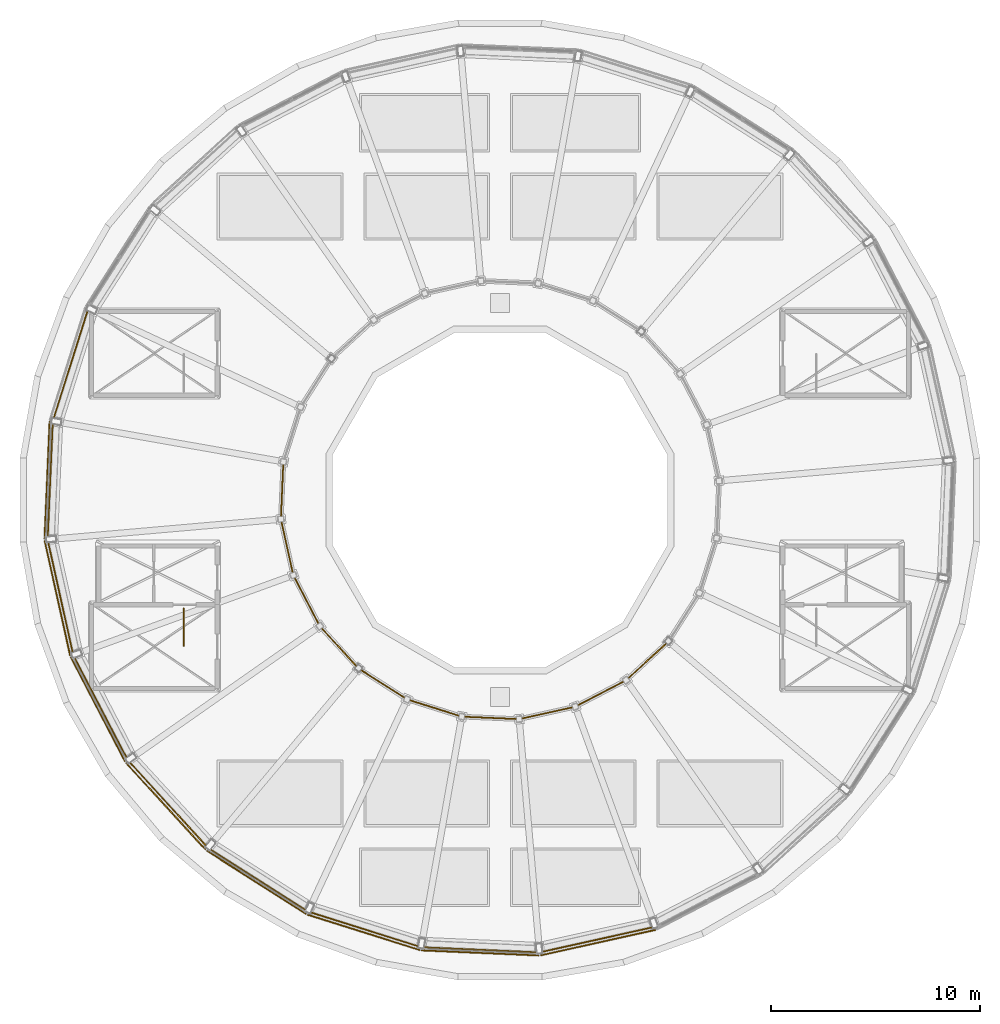
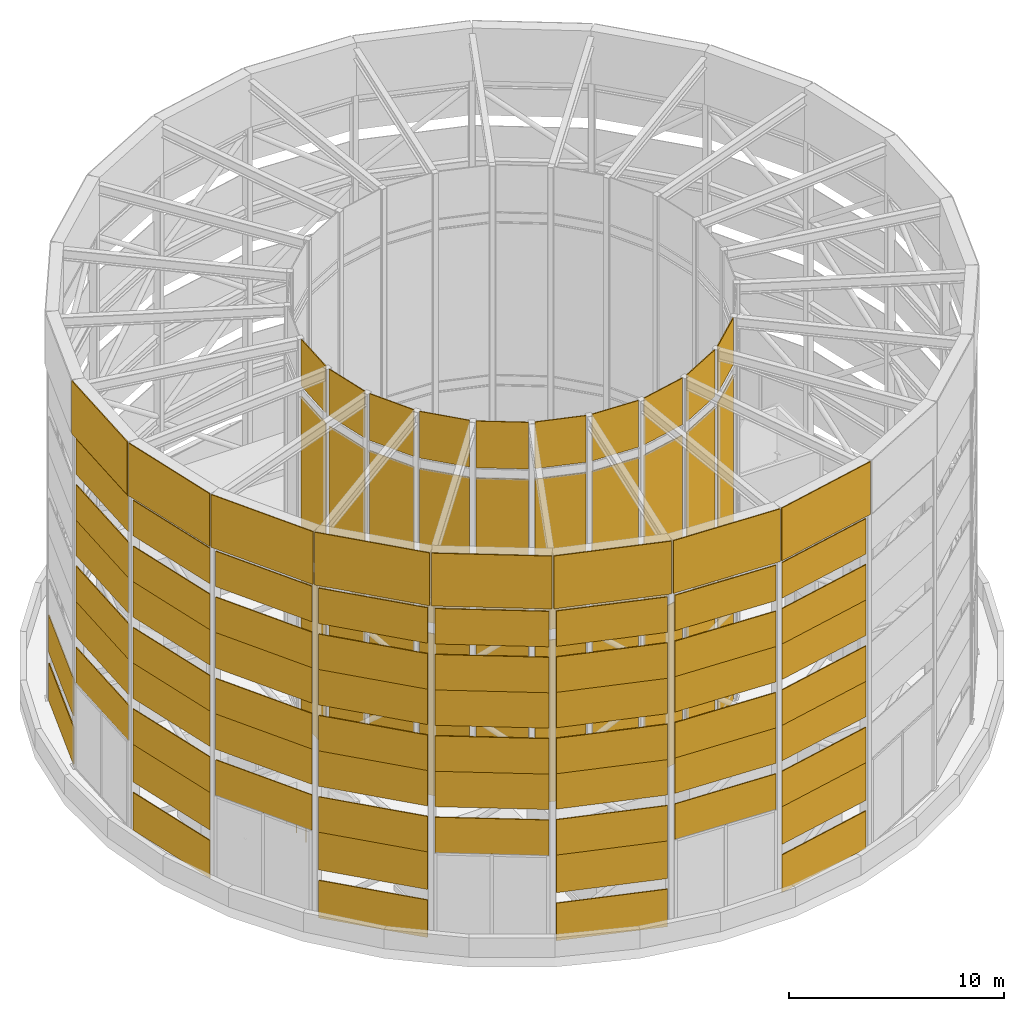
# One storey, part 17 of 20: 88 shading devices, 8 coverings, 1 railing.
"""IFC4 building model written with IfcOpenShell, lengths in metres."""

from ifc_helpers import new_model, si_unit, direction, frame, origin, origin_2d, place, context, subcontext, project, spatial, rectangle, circle, extrude, material, layer, layer_set, type_object, element, save


model = new_model("IFC4")

# Units and contexts
model_context = context("Model", 3, precision=1e-05, world=origin(), true_north=direction((0.0, 1.0)))
body_context = subcontext(model_context, "Body", "Model", "MODEL_VIEW")
ifc_project = project(units=[si_unit("LENGTHUNIT", "METRE"), si_unit("AREAUNIT", "SQUARE_METRE"), si_unit("VOLUMEUNIT", "CUBIC_METRE"), si_unit("PLANEANGLEUNIT", "RADIAN"), si_unit("MASSUNIT", "GRAM", prefix="KILO")], contexts=[model_context])

# Site, building, storey
site_placement = place(None, origin())
site = spatial("IfcSite", under=ifc_project, at=site_placement, CompositionType="ELEMENT")
building_placement = place(site_placement, origin())
building = spatial("IfcBuilding", under=site, at=building_placement, Name="Saqina Gate Tower", CompositionType="ELEMENT")
storey_placement = place(building_placement, frame((0.0, 0.0, 284.199951171875)))
storey = spatial("IfcBuildingStorey", under=building, at=storey_placement, Name="RF", CompositionType="ELEMENT", Elevation=284.199951171875)

# Coverings
ifc_material_1 = material(Name="Glazed ceramic tile", Category="ceramic")
ifc_layer_1 = layer(ifc_material_1, 0.0400390625)
ifc_layer_set_1 = layer_set([ifc_layer_1], Name="CLAD-TILE")
covering_type = type_object("IfcCoveringType", Name="CLAD-TILE", PredefinedType="CLADDING", material=ifc_layer_set_1)
for number, where, z_axis, x_axis, name in (
    (1, (-21.62060546875, 0.944091796875, 19.0), (0.0, 0.0, 1.0), (-0.043619387365, -0.999048221582, 0.0), "Crown cap cladding 12"),
    (2, (-21.128173828125, -4.68408203125, 19.0), (0.0, 0.0, 1.0), (0.216439613938, -0.97629600712, 0.0), "Crown cap cladding 13"),
    (3, (-19.19580078125, -9.99267578125, 19.0), (0.0, 0.0, 1.0), (0.461748613235, -0.887010833178, 0.0), "Crown cap cladding 14"),
    (4, (-15.95556640625, -14.62060546875, 19.0), (0.0, 0.0, 1.0), (0.675590207616, -0.73727733681, 0.0), "Crown cap cladding 15"),
    (5, (-11.627685546875, -18.251953125, 19.0), (0.0, 0.0, 1.0), (0.843391445813, -0.537299608347, 0.0), "Crown cap cladding 16"),
    (6, (-6.507568359375, -20.639404296875, 19.0), (0.0, 0.0, 1.0), (0.953716950748, -0.300705799504, 0.0), "Crown cap cladding 17"),
    (7, (-0.944091796875, -21.62060546875, 19.0), (0.0, 0.0, 1.0), (0.999048221582, -0.043619387365, 0.0), "Crown cap cladding 18"),
    (8, (4.68408203125, -21.128173828125, 19.0), (0.0, 0.0, 1.0), (0.97629600712, 0.216439613938, 0.0), "Crown cap cladding 19"),
):
    element("IfcCovering", number, at=place(storey_placement, frame(where, z_axis=z_axis, x_axis=x_axis)), inside=storey, type_object=covering_type, Name=name, PredefinedType="CLADDING", context=body_context, shape_type="SweptSolid", body=[
        extrude(rectangle(XDim=5.612548828125, YDim=0.050048828125, at=origin_2d()), origin(), (0.0, 0.0, 1.0), 3.0),
    ])

# Shading devices
ifc_material_2 = material(Name="Glazed ceramic tile", Category="ceramic")
ifc_layer_2 = layer(ifc_material_2, 0.050048828125)
ifc_layer_set_2 = layer_set([ifc_layer_2], Name="SCREEN-TILE")
shading_device_type_1 = type_object("IfcShadingDeviceType", Name="SCREEN-TILE", PredefinedType="JALOUSIE", material=ifc_layer_set_2)
shading_device_1_placement = place(storey_placement, frame((-20.496337890625, 6.46240234375, 0.0), z_axis=(0.0, 0.0, 1.0), x_axis=(-0.300705799504, -0.953716950748, 0.0)))
element("IfcShadingDevice", 9, at=shading_device_1_placement, inside=storey, type_object=shading_device_type_1, Name="Crown screen O1a.11", PredefinedType="JALOUSIE", context=body_context, shape_type="SweptSolid", body=[
    extrude(rectangle(XDim=5.310546875, YDim=0.050048828125, at=origin_2d()), origin(), (0.0, 0.0, 1.0), 2.137451171875),
])
for number, where, z_axis, x_axis, name in (
    (10, (-21.470703125, 0.9375, 4.875), (0.0, 0.0, 1.0), (-0.043619387365, -0.999048221582, 0.0), "Crown screen O2a.12"),
    (11, (-21.470703125, 0.9375, 12.11279296875), (0.0, 0.0, 1.0), (-0.043619387365, -0.999048221582, 0.0), "Crown screen O3b.12"),
    (12, (-21.470703125, 0.9375, 14.125), (0.0, 0.0, 1.0), (-0.043619387365, -0.999048221582, 0.0), "Crown screen O4a.12"),
):
    element("IfcShadingDevice", number, at=place(storey_placement, frame(where, z_axis=z_axis, x_axis=x_axis)), inside=storey, type_object=shading_device_type_1, Name=name, PredefinedType="JALOUSIE", context=body_context, shape_type="SweptSolid", body=[
        extrude(rectangle(XDim=5.310546875, YDim=0.050048828125, at=origin_2d()), origin(), (0.0, 0.0, 1.0), 2.012451171875),
    ])
shading_device_2_placement = place(storey_placement, frame((-20.981689453125, -4.651611328125, 0.0), z_axis=(0.0, 0.0, 1.0), x_axis=(0.216439613938, -0.97629600712, 0.0)))
element("IfcShadingDevice", 13, at=shading_device_2_placement, inside=storey, type_object=shading_device_type_1, Name="Crown screen O1a.13", PredefinedType="JALOUSIE", context=body_context, shape_type="SweptSolid", body=[
    extrude(rectangle(XDim=5.310546875, YDim=0.050048828125, at=origin_2d()), origin(), (0.0, 0.0, 1.0), 2.137451171875),
])
for number, where, z_axis, x_axis, name in (
    (14, (-20.981689453125, -4.651611328125, 7.48779296875), (0.0, 0.0, 1.0), (0.216439613938, -0.97629600712, 0.0), "Crown screen O2b.13"),
    (15, (-20.981689453125, -4.651611328125, 9.5), (0.0, 0.0, 1.0), (0.216439613938, -0.97629600712, 0.0), "Crown screen O3a.13"),
    (16, (-20.981689453125, -4.651611328125, 16.73779296875), (0.0, 0.0, 1.0), (0.216439613938, -0.97629600712, 0.0), "Crown screen O4b.13"),
    (17, (-19.062744140625, -9.923583984375, 4.875), (0.0, 0.0, 1.0), (0.461748613235, -0.887010833178, 0.0), "Crown screen O2a.14"),
    (18, (-19.062744140625, -9.923583984375, 12.11279296875), (0.0, 0.0, 1.0), (0.461748613235, -0.887010833178, 0.0), "Crown screen O3b.14"),
    (19, (-19.062744140625, -9.923583984375, 14.125), (0.0, 0.0, 1.0), (0.461748613235, -0.887010833178, 0.0), "Crown screen O4a.14"),
):
    element("IfcShadingDevice", number, at=place(storey_placement, frame(where, z_axis=z_axis, x_axis=x_axis)), inside=storey, type_object=shading_device_type_1, Name=name, PredefinedType="JALOUSIE", context=body_context, shape_type="SweptSolid", body=[
        extrude(rectangle(XDim=5.310546875, YDim=0.050048828125, at=origin_2d()), origin(), (0.0, 0.0, 1.0), 2.012451171875),
    ])
shading_device_3_placement = place(storey_placement, frame((-15.844970703125, -14.519287109375, 0.0), z_axis=(0.0, 0.0, 1.0), x_axis=(0.675590207616, -0.73727733681, 0.0)))
element("IfcShadingDevice", 20, at=shading_device_3_placement, inside=storey, type_object=shading_device_type_1, Name="Crown screen O1a.15", PredefinedType="JALOUSIE", context=body_context, shape_type="SweptSolid", body=[
    extrude(rectangle(XDim=5.310546875, YDim=0.050048828125, at=origin_2d()), origin(), (0.0, 0.0, 1.0), 2.137451171875),
])
for number, where, z_axis, x_axis, name in (
    (21, (-15.844970703125, -14.519287109375, 7.48779296875), (0.0, 0.0, 1.0), (0.675590207616, -0.73727733681, 0.0), "Crown screen O2b.15"),
    (22, (-15.844970703125, -14.519287109375, 9.5), (0.0, 0.0, 1.0), (0.675590207616, -0.73727733681, 0.0), "Crown screen O3a.15"),
    (23, (-15.844970703125, -14.519287109375, 16.73779296875), (0.0, 0.0, 1.0), (0.675590207616, -0.73727733681, 0.0), "Crown screen O4b.15"),
    (24, (-11.547119140625, -18.12548828125, 4.875), (0.0, 0.0, 1.0), (0.843391445813, -0.537299608347, 0.0), "Crown screen O2a.16"),
    (25, (-11.547119140625, -18.12548828125, 12.11279296875), (0.0, 0.0, 1.0), (0.843391445813, -0.537299608347, 0.0), "Crown screen O3b.16"),
    (26, (-11.547119140625, -18.12548828125, 14.125), (0.0, 0.0, 1.0), (0.843391445813, -0.537299608347, 0.0), "Crown screen O4a.16"),
):
    element("IfcShadingDevice", number, at=place(storey_placement, frame(where, z_axis=z_axis, x_axis=x_axis)), inside=storey, type_object=shading_device_type_1, Name=name, PredefinedType="JALOUSIE", context=body_context, shape_type="SweptSolid", body=[
        extrude(rectangle(XDim=5.310546875, YDim=0.050048828125, at=origin_2d()), origin(), (0.0, 0.0, 1.0), 2.012451171875),
    ])
shading_device_4_placement = place(storey_placement, frame((-6.46240234375, -20.496337890625, 0.0), z_axis=(0.0, 0.0, 1.0), x_axis=(0.953716950748, -0.300705799504, 0.0)))
element("IfcShadingDevice", 27, at=shading_device_4_placement, inside=storey, type_object=shading_device_type_1, Name="Crown screen O1a.17", PredefinedType="JALOUSIE", context=body_context, shape_type="SweptSolid", body=[
    extrude(rectangle(XDim=5.310546875, YDim=0.050048828125, at=origin_2d()), origin(), (0.0, 0.0, 1.0), 2.137451171875),
])
for number, where, z_axis, x_axis, name in (
    (28, (-6.46240234375, -20.496337890625, 7.48779296875), (0.0, 0.0, 1.0), (0.953716950748, -0.300705799504, 0.0), "Crown screen O2b.17"),
    (29, (-6.46240234375, -20.496337890625, 9.5), (0.0, 0.0, 1.0), (0.953716950748, -0.300705799504, 0.0), "Crown screen O3a.17"),
    (30, (-6.46240234375, -20.496337890625, 16.73779296875), (0.0, 0.0, 1.0), (0.953716950748, -0.300705799504, 0.0), "Crown screen O4b.17"),
    (31, (-0.9375, -21.470703125, 4.875), (0.0, 0.0, 1.0), (0.999048221582, -0.043619387365, 0.0), "Crown screen O2a.18"),
    (32, (-0.9375, -21.470703125, 12.11279296875), (0.0, 0.0, 1.0), (0.999048221582, -0.043619387365, 0.0), "Crown screen O3b.18"),
    (33, (-0.9375, -21.470703125, 14.125), (0.0, 0.0, 1.0), (0.999048221582, -0.043619387365, 0.0), "Crown screen O4a.18"),
):
    element("IfcShadingDevice", number, at=place(storey_placement, frame(where, z_axis=z_axis, x_axis=x_axis)), inside=storey, type_object=shading_device_type_1, Name=name, PredefinedType="JALOUSIE", context=body_context, shape_type="SweptSolid", body=[
        extrude(rectangle(XDim=5.310546875, YDim=0.050048828125, at=origin_2d()), origin(), (0.0, 0.0, 1.0), 2.012451171875),
    ])
shading_device_5_placement = place(storey_placement, frame((4.651611328125, -20.981689453125, 0.0), z_axis=(0.0, 0.0, 1.0), x_axis=(0.97629600712, 0.216439613938, 0.0)))
element("IfcShadingDevice", 34, at=shading_device_5_placement, inside=storey, type_object=shading_device_type_1, Name="Crown screen O1a.19", PredefinedType="JALOUSIE", context=body_context, shape_type="SweptSolid", body=[
    extrude(rectangle(XDim=5.310546875, YDim=0.050048828125, at=origin_2d()), origin(), (0.0, 0.0, 1.0), 2.137451171875),
])
for number, where, z_axis, x_axis, name in (
    (35, (4.651611328125, -20.981689453125, 7.48779296875), (0.0, 0.0, 1.0), (0.97629600712, 0.216439613938, 0.0), "Crown screen O2b.19"),
    (36, (4.651611328125, -20.981689453125, 9.5), (0.0, 0.0, 1.0), (0.97629600712, 0.216439613938, 0.0), "Crown screen O3a.19"),
    (37, (4.651611328125, -20.981689453125, 16.73779296875), (0.0, 0.0, 1.0), (0.97629600712, 0.216439613938, 0.0), "Crown screen O4b.19"),
):
    element("IfcShadingDevice", number, at=place(storey_placement, frame(where, z_axis=z_axis, x_axis=x_axis)), inside=storey, type_object=shading_device_type_1, Name=name, PredefinedType="JALOUSIE", context=body_context, shape_type="SweptSolid", body=[
        extrude(rectangle(XDim=5.310546875, YDim=0.050048828125, at=origin_2d()), origin(), (0.0, 0.0, 1.0), 2.012451171875),
    ])
shading_device_6_placement = place(storey_placement, frame((-10.400390625, 0.4541015625, 0.0), z_axis=(0.0, 0.0, 1.0), x_axis=(-0.043619387365, -0.999048221582, 0.0)))
element("IfcShadingDevice", 38, at=shading_device_6_placement, inside=storey, type_object=shading_device_type_1, Name="Crown screen I1.12", PredefinedType="JALOUSIE", context=body_context, shape_type="SweptSolid", body=[
    extrude(rectangle(XDim=2.43896484375, YDim=0.050048828125, at=origin_2d()), origin(), (0.0, 0.0, 1.0), 9.199951171875),
])
shading_device_7_placement = place(storey_placement, frame((-10.400390625, 0.4541015625, 9.800048828125), z_axis=(0.0, 0.0, 1.0), x_axis=(-0.043619387365, -0.999048221582, 0.0)))
element("IfcShadingDevice", 39, at=shading_device_7_placement, inside=storey, type_object=shading_device_type_1, Name="Crown screen I2.12", PredefinedType="JALOUSIE", context=body_context, shape_type="SweptSolid", body=[
    extrude(rectangle(XDim=2.43896484375, YDim=0.050048828125, at=origin_2d()), origin(), (0.0, 0.0, 1.0), 8.64990234375),
])
shading_device_8_placement = place(storey_placement, frame((-10.400390625, 0.4541015625, 19.050048828125), z_axis=(0.0, 0.0, 1.0), x_axis=(-0.043619387365, -0.999048221582, 0.0)))
element("IfcShadingDevice", 40, at=shading_device_8_placement, inside=storey, type_object=shading_device_type_1, Name="Crown screen I9.12", PredefinedType="JALOUSIE", context=body_context, shape_type="SweptSolid", body=[
    extrude(rectangle(XDim=2.43896484375, YDim=0.050048828125, at=origin_2d()), origin(), (0.0, 0.0, 1.0), 2.64990234375),
])
shading_device_9_placement = place(storey_placement, frame((-10.163330078125, -2.253173828125, 0.0), z_axis=(0.0, 0.0, 1.0), x_axis=(0.216439613938, -0.97629600712, 0.0)))
element("IfcShadingDevice", 41, at=shading_device_9_placement, inside=storey, type_object=shading_device_type_1, Name="Crown screen I1.13", PredefinedType="JALOUSIE", context=body_context, shape_type="SweptSolid", body=[
    extrude(rectangle(XDim=2.439208984375, YDim=0.050048828125, at=origin_2d()), origin(), (0.0, 0.0, 1.0), 9.199951171875),
])
shading_device_10_placement = place(storey_placement, frame((-10.163330078125, -2.253173828125, 9.800048828125), z_axis=(0.0, 0.0, 1.0), x_axis=(0.216439613938, -0.97629600712, 0.0)))
element("IfcShadingDevice", 42, at=shading_device_10_placement, inside=storey, type_object=shading_device_type_1, Name="Crown screen I2.13", PredefinedType="JALOUSIE", context=body_context, shape_type="SweptSolid", body=[
    extrude(rectangle(XDim=2.439208984375, YDim=0.050048828125, at=origin_2d()), origin(), (0.0, 0.0, 1.0), 8.64990234375),
])
shading_device_11_placement = place(storey_placement, frame((-10.163330078125, -2.253173828125, 19.050048828125), z_axis=(0.0, 0.0, 1.0), x_axis=(0.216439613938, -0.97629600712, 0.0)))
element("IfcShadingDevice", 43, at=shading_device_11_placement, inside=storey, type_object=shading_device_type_1, Name="Crown screen I9.13", PredefinedType="JALOUSIE", context=body_context, shape_type="SweptSolid", body=[
    extrude(rectangle(XDim=2.439208984375, YDim=0.050048828125, at=origin_2d()), origin(), (0.0, 0.0, 1.0), 2.64990234375),
])
shading_device_12_placement = place(storey_placement, frame((-9.23388671875, -4.806884765625, 0.0), z_axis=(0.0, 0.0, 1.0), x_axis=(0.461748613235, -0.887010833178, 0.0)))
element("IfcShadingDevice", 44, at=shading_device_12_placement, inside=storey, type_object=shading_device_type_1, Name="Crown screen I1.14", PredefinedType="JALOUSIE", context=body_context, shape_type="SweptSolid", body=[
    extrude(rectangle(XDim=2.439208984375, YDim=0.050048828125, at=origin_2d()), origin(), (0.0, 0.0, 1.0), 9.199951171875),
])
shading_device_13_placement = place(storey_placement, frame((-9.23388671875, -4.806884765625, 9.800048828125), z_axis=(0.0, 0.0, 1.0), x_axis=(0.461748613235, -0.887010833178, 0.0)))
element("IfcShadingDevice", 45, at=shading_device_13_placement, inside=storey, type_object=shading_device_type_1, Name="Crown screen I2.14", PredefinedType="JALOUSIE", context=body_context, shape_type="SweptSolid", body=[
    extrude(rectangle(XDim=2.439208984375, YDim=0.050048828125, at=origin_2d()), origin(), (0.0, 0.0, 1.0), 8.64990234375),
])
shading_device_14_placement = place(storey_placement, frame((-9.23388671875, -4.806884765625, 19.050048828125), z_axis=(0.0, 0.0, 1.0), x_axis=(0.461748613235, -0.887010833178, 0.0)))
element("IfcShadingDevice", 46, at=shading_device_14_placement, inside=storey, type_object=shading_device_type_1, Name="Crown screen I9.14", PredefinedType="JALOUSIE", context=body_context, shape_type="SweptSolid", body=[
    extrude(rectangle(XDim=2.439208984375, YDim=0.050048828125, at=origin_2d()), origin(), (0.0, 0.0, 1.0), 2.64990234375),
])
shading_device_15_placement = place(storey_placement, frame((-7.67529296875, -7.032958984375, 0.0), z_axis=(0.0, 0.0, 1.0), x_axis=(0.675590207616, -0.73727733681, 0.0)))
element("IfcShadingDevice", 47, at=shading_device_15_placement, inside=storey, type_object=shading_device_type_1, Name="Crown screen I1.15", PredefinedType="JALOUSIE", context=body_context, shape_type="SweptSolid", body=[
    extrude(rectangle(XDim=2.43896484375, YDim=0.050048828125, at=origin_2d()), origin(), (0.0, 0.0, 1.0), 9.199951171875),
])
shading_device_16_placement = place(storey_placement, frame((-7.67529296875, -7.032958984375, 9.800048828125), z_axis=(0.0, 0.0, 1.0), x_axis=(0.675590207616, -0.73727733681, 0.0)))
element("IfcShadingDevice", 48, at=shading_device_16_placement, inside=storey, type_object=shading_device_type_1, Name="Crown screen I2.15", PredefinedType="JALOUSIE", context=body_context, shape_type="SweptSolid", body=[
    extrude(rectangle(XDim=2.43896484375, YDim=0.050048828125, at=origin_2d()), origin(), (0.0, 0.0, 1.0), 8.64990234375),
])
shading_device_17_placement = place(storey_placement, frame((-7.67529296875, -7.032958984375, 19.050048828125), z_axis=(0.0, 0.0, 1.0), x_axis=(0.675590207616, -0.73727733681, 0.0)))
element("IfcShadingDevice", 49, at=shading_device_17_placement, inside=storey, type_object=shading_device_type_1, Name="Crown screen I9.15", PredefinedType="JALOUSIE", context=body_context, shape_type="SweptSolid", body=[
    extrude(rectangle(XDim=2.43896484375, YDim=0.050048828125, at=origin_2d()), origin(), (0.0, 0.0, 1.0), 2.64990234375),
])
shading_device_18_placement = place(storey_placement, frame((-5.593505859375, -8.77978515625, 0.0), z_axis=(0.0, 0.0, 1.0), x_axis=(0.843391445813, -0.537299608347, 0.0)))
element("IfcShadingDevice", 50, at=shading_device_18_placement, inside=storey, type_object=shading_device_type_1, Name="Crown screen I1.16", PredefinedType="JALOUSIE", context=body_context, shape_type="SweptSolid", body=[
    extrude(rectangle(XDim=2.43896484375, YDim=0.050048828125, at=origin_2d()), origin(), (0.0, 0.0, 1.0), 9.199951171875),
])
shading_device_19_placement = place(storey_placement, frame((-5.593505859375, -8.77978515625, 9.800048828125), z_axis=(0.0, 0.0, 1.0), x_axis=(0.843391445813, -0.537299608347, 0.0)))
element("IfcShadingDevice", 51, at=shading_device_19_placement, inside=storey, type_object=shading_device_type_1, Name="Crown screen I2.16", PredefinedType="JALOUSIE", context=body_context, shape_type="SweptSolid", body=[
    extrude(rectangle(XDim=2.43896484375, YDim=0.050048828125, at=origin_2d()), origin(), (0.0, 0.0, 1.0), 8.64990234375),
])
shading_device_20_placement = place(storey_placement, frame((-5.593505859375, -8.77978515625, 19.050048828125), z_axis=(0.0, 0.0, 1.0), x_axis=(0.843391445813, -0.537299608347, 0.0)))
element("IfcShadingDevice", 52, at=shading_device_20_placement, inside=storey, type_object=shading_device_type_1, Name="Crown screen I9.16", PredefinedType="JALOUSIE", context=body_context, shape_type="SweptSolid", body=[
    extrude(rectangle(XDim=2.43896484375, YDim=0.050048828125, at=origin_2d()), origin(), (0.0, 0.0, 1.0), 2.64990234375),
])
shading_device_21_placement = place(storey_placement, frame((-3.13037109375, -9.928466796875, 0.0), z_axis=(0.0, 0.0, 1.0), x_axis=(0.953716950748, -0.300705799504, 0.0)))
element("IfcShadingDevice", 53, at=shading_device_21_placement, inside=storey, type_object=shading_device_type_1, Name="Crown screen I1.17", PredefinedType="JALOUSIE", context=body_context, shape_type="SweptSolid", body=[
    extrude(rectangle(XDim=2.43896484375, YDim=0.050048828125, at=origin_2d()), origin(), (0.0, 0.0, 1.0), 9.199951171875),
])
shading_device_22_placement = place(storey_placement, frame((-3.13037109375, -9.928466796875, 9.800048828125), z_axis=(0.0, 0.0, 1.0), x_axis=(0.953716950748, -0.300705799504, 0.0)))
element("IfcShadingDevice", 54, at=shading_device_22_placement, inside=storey, type_object=shading_device_type_1, Name="Crown screen I2.17", PredefinedType="JALOUSIE", context=body_context, shape_type="SweptSolid", body=[
    extrude(rectangle(XDim=2.43896484375, YDim=0.050048828125, at=origin_2d()), origin(), (0.0, 0.0, 1.0), 8.64990234375),
])
shading_device_23_placement = place(storey_placement, frame((-3.13037109375, -9.928466796875, 19.050048828125), z_axis=(0.0, 0.0, 1.0), x_axis=(0.953716950748, -0.300705799504, 0.0)))
element("IfcShadingDevice", 55, at=shading_device_23_placement, inside=storey, type_object=shading_device_type_1, Name="Crown screen I9.17", PredefinedType="JALOUSIE", context=body_context, shape_type="SweptSolid", body=[
    extrude(rectangle(XDim=2.43896484375, YDim=0.050048828125, at=origin_2d()), origin(), (0.0, 0.0, 1.0), 2.64990234375),
])
shading_device_24_placement = place(storey_placement, frame((-0.4541015625, -10.400390625, 0.0), z_axis=(0.0, 0.0, 1.0), x_axis=(0.999048221582, -0.043619387365, 0.0)))
element("IfcShadingDevice", 56, at=shading_device_24_placement, inside=storey, type_object=shading_device_type_1, Name="Crown screen I1.18", PredefinedType="JALOUSIE", context=body_context, shape_type="SweptSolid", body=[
    extrude(rectangle(XDim=2.43896484375, YDim=0.050048828125, at=origin_2d()), origin(), (0.0, 0.0, 1.0), 9.199951171875),
])
shading_device_25_placement = place(storey_placement, frame((-0.4541015625, -10.400390625, 9.800048828125), z_axis=(0.0, 0.0, 1.0), x_axis=(0.999048221582, -0.043619387365, 0.0)))
element("IfcShadingDevice", 57, at=shading_device_25_placement, inside=storey, type_object=shading_device_type_1, Name="Crown screen I2.18", PredefinedType="JALOUSIE", context=body_context, shape_type="SweptSolid", body=[
    extrude(rectangle(XDim=2.43896484375, YDim=0.050048828125, at=origin_2d()), origin(), (0.0, 0.0, 1.0), 8.64990234375),
])
shading_device_26_placement = place(storey_placement, frame((-0.4541015625, -10.400390625, 19.050048828125), z_axis=(0.0, 0.0, 1.0), x_axis=(0.999048221582, -0.043619387365, 0.0)))
element("IfcShadingDevice", 58, at=shading_device_26_placement, inside=storey, type_object=shading_device_type_1, Name="Crown screen I9.18", PredefinedType="JALOUSIE", context=body_context, shape_type="SweptSolid", body=[
    extrude(rectangle(XDim=2.43896484375, YDim=0.050048828125, at=origin_2d()), origin(), (0.0, 0.0, 1.0), 2.64990234375),
])
shading_device_27_placement = place(storey_placement, frame((2.253173828125, -10.163330078125, 0.0), z_axis=(0.0, 0.0, 1.0), x_axis=(0.97629600712, 0.216439613938, 0.0)))
element("IfcShadingDevice", 59, at=shading_device_27_placement, inside=storey, type_object=shading_device_type_1, Name="Crown screen I1.19", PredefinedType="JALOUSIE", context=body_context, shape_type="SweptSolid", body=[
    extrude(rectangle(XDim=2.439208984375, YDim=0.050048828125, at=origin_2d()), origin(), (0.0, 0.0, 1.0), 9.199951171875),
])
shading_device_28_placement = place(storey_placement, frame((2.253173828125, -10.163330078125, 9.800048828125), z_axis=(0.0, 0.0, 1.0), x_axis=(0.97629600712, 0.216439613938, 0.0)))
element("IfcShadingDevice", 60, at=shading_device_28_placement, inside=storey, type_object=shading_device_type_1, Name="Crown screen I2.19", PredefinedType="JALOUSIE", context=body_context, shape_type="SweptSolid", body=[
    extrude(rectangle(XDim=2.439208984375, YDim=0.050048828125, at=origin_2d()), origin(), (0.0, 0.0, 1.0), 8.64990234375),
])
shading_device_29_placement = place(storey_placement, frame((2.253173828125, -10.163330078125, 19.050048828125), z_axis=(0.0, 0.0, 1.0), x_axis=(0.97629600712, 0.216439613938, 0.0)))
element("IfcShadingDevice", 61, at=shading_device_29_placement, inside=storey, type_object=shading_device_type_1, Name="Crown screen I9.19", PredefinedType="JALOUSIE", context=body_context, shape_type="SweptSolid", body=[
    extrude(rectangle(XDim=2.439208984375, YDim=0.050048828125, at=origin_2d()), origin(), (0.0, 0.0, 1.0), 2.64990234375),
])
shading_device_30_placement = place(storey_placement, frame((4.806884765625, -9.23388671875, 0.0), z_axis=(0.0, 0.0, 1.0), x_axis=(0.887010833178, 0.461748613235, 0.0)))
element("IfcShadingDevice", 62, at=shading_device_30_placement, inside=storey, type_object=shading_device_type_1, Name="Crown screen I1.20", PredefinedType="JALOUSIE", context=body_context, shape_type="SweptSolid", body=[
    extrude(rectangle(XDim=2.439208984375, YDim=0.050048828125, at=origin_2d()), origin(), (0.0, 0.0, 1.0), 9.199951171875),
])
shading_device_31_placement = place(storey_placement, frame((4.806884765625, -9.23388671875, 9.800048828125), z_axis=(0.0, 0.0, 1.0), x_axis=(0.887010833178, 0.461748613235, 0.0)))
element("IfcShadingDevice", 63, at=shading_device_31_placement, inside=storey, type_object=shading_device_type_1, Name="Crown screen I2.20", PredefinedType="JALOUSIE", context=body_context, shape_type="SweptSolid", body=[
    extrude(rectangle(XDim=2.439208984375, YDim=0.050048828125, at=origin_2d()), origin(), (0.0, 0.0, 1.0), 8.64990234375),
])
shading_device_32_placement = place(storey_placement, frame((4.806884765625, -9.23388671875, 19.050048828125), z_axis=(0.0, 0.0, 1.0), x_axis=(0.887010833178, 0.461748613235, 0.0)))
element("IfcShadingDevice", 64, at=shading_device_32_placement, inside=storey, type_object=shading_device_type_1, Name="Crown screen I9.20", PredefinedType="JALOUSIE", context=body_context, shape_type="SweptSolid", body=[
    extrude(rectangle(XDim=2.439208984375, YDim=0.050048828125, at=origin_2d()), origin(), (0.0, 0.0, 1.0), 2.64990234375),
])
shading_device_33_placement = place(storey_placement, frame((7.032958984375, -7.67529296875, 0.0), z_axis=(0.0, 0.0, 1.0), x_axis=(0.73727733681, 0.675590207616, 0.0)))
element("IfcShadingDevice", 65, at=shading_device_33_placement, inside=storey, type_object=shading_device_type_1, Name="Crown screen I1.21", PredefinedType="JALOUSIE", context=body_context, shape_type="SweptSolid", body=[
    extrude(rectangle(XDim=2.43896484375, YDim=0.050048828125, at=origin_2d()), origin(), (0.0, 0.0, 1.0), 9.199951171875),
])
shading_device_34_placement = place(storey_placement, frame((7.032958984375, -7.67529296875, 9.800048828125), z_axis=(0.0, 0.0, 1.0), x_axis=(0.73727733681, 0.675590207616, 0.0)))
element("IfcShadingDevice", 66, at=shading_device_34_placement, inside=storey, type_object=shading_device_type_1, Name="Crown screen I2.21", PredefinedType="JALOUSIE", context=body_context, shape_type="SweptSolid", body=[
    extrude(rectangle(XDim=2.43896484375, YDim=0.050048828125, at=origin_2d()), origin(), (0.0, 0.0, 1.0), 8.64990234375),
])
shading_device_35_placement = place(storey_placement, frame((7.032958984375, -7.67529296875, 19.050048828125), z_axis=(0.0, 0.0, 1.0), x_axis=(0.73727733681, 0.675590207616, 0.0)))
element("IfcShadingDevice", 67, at=shading_device_35_placement, inside=storey, type_object=shading_device_type_1, Name="Crown screen I9.21", PredefinedType="JALOUSIE", context=body_context, shape_type="SweptSolid", body=[
    extrude(rectangle(XDim=2.43896484375, YDim=0.050048828125, at=origin_2d()), origin(), (0.0, 0.0, 1.0), 2.64990234375),
])
ifc_material_3 = material(Name="Glazed ceramic tile (dark blue)", Category="ceramic")
ifc_layer_3 = layer(ifc_material_3, 0.050048828125)
ifc_layer_set_3 = layer_set([ifc_layer_3], Name="SCREEN-TILE-CB")
shading_device_type_2 = type_object("IfcShadingDeviceType", Name="SCREEN-TILE-CB", PredefinedType="JALOUSIE", material=ifc_layer_set_3)
shading_device_36_placement = place(storey_placement, frame((-20.496337890625, 6.46240234375, 2.73779296875), z_axis=(0.0, 0.0, 1.0), x_axis=(-0.300705799504, -0.953716950748, 0.0)))
element("IfcShadingDevice", 68, at=shading_device_36_placement, inside=storey, type_object=shading_device_type_2, Name="Crown screen O1b.11", PredefinedType="JALOUSIE", context=body_context, shape_type="SweptSolid", body=[
    extrude(rectangle(XDim=5.310546875, YDim=0.050048828125, at=origin_2d()), origin(), (0.0, 0.0, 1.0), 2.137451171875),
])
for number, where, z_axis, x_axis, name in (
    (69, (-21.470703125, 0.9375, 7.48779296875), (0.0, 0.0, 1.0), (-0.043619387365, -0.999048221582, 0.0), "Crown screen O2b.12"),
    (70, (-21.470703125, 0.9375, 9.5), (0.0, 0.0, 1.0), (-0.043619387365, -0.999048221582, 0.0), "Crown screen O3a.12"),
    (71, (-21.470703125, 0.9375, 16.73779296875), (0.0, 0.0, 1.0), (-0.043619387365, -0.999048221582, 0.0), "Crown screen O4b.12"),
):
    element("IfcShadingDevice", number, at=place(storey_placement, frame(where, z_axis=z_axis, x_axis=x_axis)), inside=storey, type_object=shading_device_type_2, Name=name, PredefinedType="JALOUSIE", context=body_context, shape_type="SweptSolid", body=[
        extrude(rectangle(XDim=5.310546875, YDim=0.050048828125, at=origin_2d()), origin(), (0.0, 0.0, 1.0), 2.012451171875),
    ])
shading_device_37_placement = place(storey_placement, frame((-20.981689453125, -4.651611328125, 2.73779296875), z_axis=(0.0, 0.0, 1.0), x_axis=(0.216439613938, -0.97629600712, 0.0)))
element("IfcShadingDevice", 72, at=shading_device_37_placement, inside=storey, type_object=shading_device_type_2, Name="Crown screen O1b.13", PredefinedType="JALOUSIE", context=body_context, shape_type="SweptSolid", body=[
    extrude(rectangle(XDim=5.310546875, YDim=0.050048828125, at=origin_2d()), origin(), (0.0, 0.0, 1.0), 2.137451171875),
])
for number, where, z_axis, x_axis, name in (
    (73, (-20.981689453125, -4.651611328125, 4.875), (0.0, 0.0, 1.0), (0.216439613938, -0.97629600712, 0.0), "Crown screen O2a.13"),
    (74, (-20.981689453125, -4.651611328125, 12.11279296875), (0.0, 0.0, 1.0), (0.216439613938, -0.97629600712, 0.0), "Crown screen O3b.13"),
    (75, (-20.981689453125, -4.651611328125, 14.125), (0.0, 0.0, 1.0), (0.216439613938, -0.97629600712, 0.0), "Crown screen O4a.13"),
    (76, (-19.062744140625, -9.923583984375, 7.48779296875), (0.0, 0.0, 1.0), (0.461748613235, -0.887010833178, 0.0), "Crown screen O2b.14"),
    (77, (-19.062744140625, -9.923583984375, 9.5), (0.0, 0.0, 1.0), (0.461748613235, -0.887010833178, 0.0), "Crown screen O3a.14"),
    (78, (-19.062744140625, -9.923583984375, 16.73779296875), (0.0, 0.0, 1.0), (0.461748613235, -0.887010833178, 0.0), "Crown screen O4b.14"),
):
    element("IfcShadingDevice", number, at=place(storey_placement, frame(where, z_axis=z_axis, x_axis=x_axis)), inside=storey, type_object=shading_device_type_2, Name=name, PredefinedType="JALOUSIE", context=body_context, shape_type="SweptSolid", body=[
        extrude(rectangle(XDim=5.310546875, YDim=0.050048828125, at=origin_2d()), origin(), (0.0, 0.0, 1.0), 2.012451171875),
    ])
shading_device_38_placement = place(storey_placement, frame((-15.844970703125, -14.519287109375, 2.73779296875), z_axis=(0.0, 0.0, 1.0), x_axis=(0.675590207616, -0.73727733681, 0.0)))
element("IfcShadingDevice", 79, at=shading_device_38_placement, inside=storey, type_object=shading_device_type_2, Name="Crown screen O1b.15", PredefinedType="JALOUSIE", context=body_context, shape_type="SweptSolid", body=[
    extrude(rectangle(XDim=5.310546875, YDim=0.050048828125, at=origin_2d()), origin(), (0.0, 0.0, 1.0), 2.137451171875),
])
for number, where, z_axis, x_axis, name in (
    (80, (-15.844970703125, -14.519287109375, 4.875), (0.0, 0.0, 1.0), (0.675590207616, -0.73727733681, 0.0), "Crown screen O2a.15"),
    (81, (-15.844970703125, -14.519287109375, 12.11279296875), (0.0, 0.0, 1.0), (0.675590207616, -0.73727733681, 0.0), "Crown screen O3b.15"),
    (82, (-15.844970703125, -14.519287109375, 14.125), (0.0, 0.0, 1.0), (0.675590207616, -0.73727733681, 0.0), "Crown screen O4a.15"),
    (83, (-11.547119140625, -18.12548828125, 7.48779296875), (0.0, 0.0, 1.0), (0.843391445813, -0.537299608347, 0.0), "Crown screen O2b.16"),
    (84, (-11.547119140625, -18.12548828125, 9.5), (0.0, 0.0, 1.0), (0.843391445813, -0.537299608347, 0.0), "Crown screen O3a.16"),
    (85, (-11.547119140625, -18.12548828125, 16.73779296875), (0.0, 0.0, 1.0), (0.843391445813, -0.537299608347, 0.0), "Crown screen O4b.16"),
):
    element("IfcShadingDevice", number, at=place(storey_placement, frame(where, z_axis=z_axis, x_axis=x_axis)), inside=storey, type_object=shading_device_type_2, Name=name, PredefinedType="JALOUSIE", context=body_context, shape_type="SweptSolid", body=[
        extrude(rectangle(XDim=5.310546875, YDim=0.050048828125, at=origin_2d()), origin(), (0.0, 0.0, 1.0), 2.012451171875),
    ])
shading_device_39_placement = place(storey_placement, frame((-6.46240234375, -20.496337890625, 2.73779296875), z_axis=(0.0, 0.0, 1.0), x_axis=(0.953716950748, -0.300705799504, 0.0)))
element("IfcShadingDevice", 86, at=shading_device_39_placement, inside=storey, type_object=shading_device_type_2, Name="Crown screen O1b.17", PredefinedType="JALOUSIE", context=body_context, shape_type="SweptSolid", body=[
    extrude(rectangle(XDim=5.310546875, YDim=0.050048828125, at=origin_2d()), origin(), (0.0, 0.0, 1.0), 2.137451171875),
])
for number, where, z_axis, x_axis, name in (
    (87, (-6.46240234375, -20.496337890625, 4.875), (0.0, 0.0, 1.0), (0.953716950748, -0.300705799504, 0.0), "Crown screen O2a.17"),
    (88, (-6.46240234375, -20.496337890625, 12.11279296875), (0.0, 0.0, 1.0), (0.953716950748, -0.300705799504, 0.0), "Crown screen O3b.17"),
    (89, (-6.46240234375, -20.496337890625, 14.125), (0.0, 0.0, 1.0), (0.953716950748, -0.300705799504, 0.0), "Crown screen O4a.17"),
    (90, (-0.9375, -21.470703125, 7.48779296875), (0.0, 0.0, 1.0), (0.999048221582, -0.043619387365, 0.0), "Crown screen O2b.18"),
    (91, (-0.9375, -21.470703125, 9.5), (0.0, 0.0, 1.0), (0.999048221582, -0.043619387365, 0.0), "Crown screen O3a.18"),
    (92, (-0.9375, -21.470703125, 16.73779296875), (0.0, 0.0, 1.0), (0.999048221582, -0.043619387365, 0.0), "Crown screen O4b.18"),
):
    element("IfcShadingDevice", number, at=place(storey_placement, frame(where, z_axis=z_axis, x_axis=x_axis)), inside=storey, type_object=shading_device_type_2, Name=name, PredefinedType="JALOUSIE", context=body_context, shape_type="SweptSolid", body=[
        extrude(rectangle(XDim=5.310546875, YDim=0.050048828125, at=origin_2d()), origin(), (0.0, 0.0, 1.0), 2.012451171875),
    ])
shading_device_40_placement = place(storey_placement, frame((4.651611328125, -20.981689453125, 2.73779296875), z_axis=(0.0, 0.0, 1.0), x_axis=(0.97629600712, 0.216439613938, 0.0)))
element("IfcShadingDevice", 93, at=shading_device_40_placement, inside=storey, type_object=shading_device_type_2, Name="Crown screen O1b.19", PredefinedType="JALOUSIE", context=body_context, shape_type="SweptSolid", body=[
    extrude(rectangle(XDim=5.310546875, YDim=0.050048828125, at=origin_2d()), origin(), (0.0, 0.0, 1.0), 2.137451171875),
])
for number, where, z_axis, x_axis, name in (
    (94, (4.651611328125, -20.981689453125, 4.875), (0.0, 0.0, 1.0), (0.97629600712, 0.216439613938, 0.0), "Crown screen O2a.19"),
    (95, (4.651611328125, -20.981689453125, 12.11279296875), (0.0, 0.0, 1.0), (0.97629600712, 0.216439613938, 0.0), "Crown screen O3b.19"),
    (96, (4.651611328125, -20.981689453125, 14.125), (0.0, 0.0, 1.0), (0.97629600712, 0.216439613938, 0.0), "Crown screen O4a.19"),
):
    element("IfcShadingDevice", number, at=place(storey_placement, frame(where, z_axis=z_axis, x_axis=x_axis)), inside=storey, type_object=shading_device_type_2, Name=name, PredefinedType="JALOUSIE", context=body_context, shape_type="SweptSolid", body=[
        extrude(rectangle(XDim=5.310546875, YDim=0.050048828125, at=origin_2d()), origin(), (0.0, 0.0, 1.0), 2.012451171875),
    ])

# Railing
ifc_material_4 = material(Name="Stainless steel", Category="steel")
railing_type = type_object("IfcRailingType", Name="STAIR GUARD", PredefinedType="GUARDRAIL", material=ifc_material_4)
railing_placement = place(storey_placement, frame((-15.10009765625, -5.175048828125, 0.0)))
element("IfcRailing", 97, at=railing_placement, inside=storey, type_object=railing_type, Name="STAIR GUARD", PredefinedType="GUARDRAIL", context=body_context, shape_type="SweptSolid", body=[
    extrude(circle(Radius=0.02392578125, at=origin_2d()), frame((0.0, 0.0, 1.076171875), z_axis=(0.0, -1.0, 0.0), x_axis=(1.0, 0.0, 0.0)), (0.0, 0.0, 1.0), 1.787353515625),
    extrude(circle(Radius=0.02099609375, at=origin_2d()), origin(), (0.0, 0.0, 1.0), 1.052001953125),
    extrude(circle(Radius=0.02099609375, at=origin_2d()), frame((0.0, -0.8935546875, 0.0)), (0.0, 0.0, 1.0), 1.052001953125),
    extrude(circle(Radius=0.02099609375, at=origin_2d()), frame((0.0, -1.787353515625, 0.0)), (0.0, 0.0, 1.0), 1.052001953125),
])

save(model, "model.ifc")
